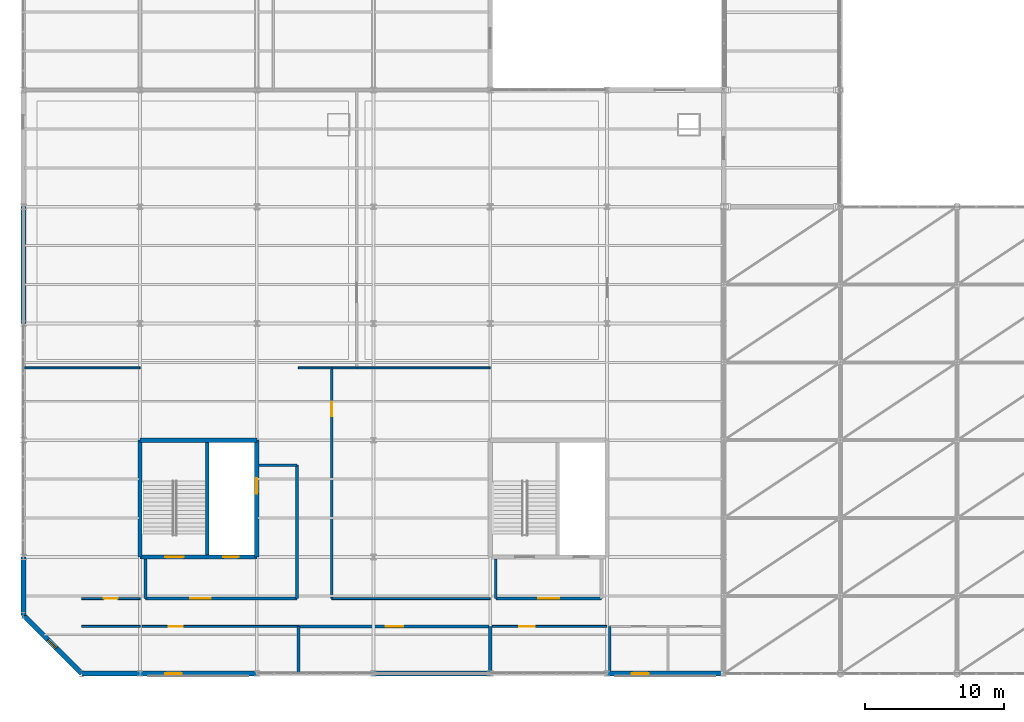
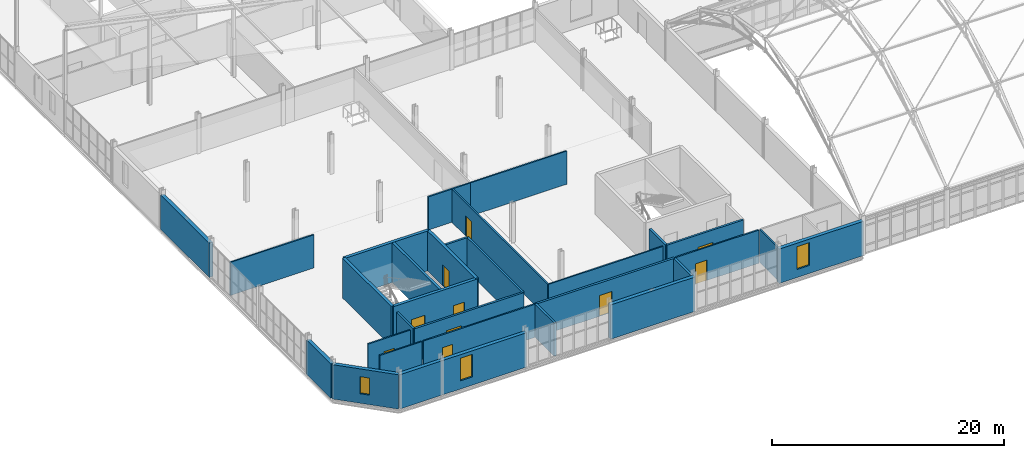
# One storey, part 153 of 184: 32 walls, 10 doors, 3 windows, 13 openings.
"""IFC4 building model written with IfcOpenShell, lengths in metres."""

from ifc_helpers import new_model, si_unit, direction, frame, frame_2d, origin, place, context, subcontext, project, spatial, rectangle, extrude, material, layer, layer_set, type_object, element, fill, save


model = new_model("IFC4")

# Units and contexts
model_context = context("Model", 3, precision=1e-05, world=origin(), true_north=direction((0.0, 1.0)))
body_context = subcontext(model_context, "Body", "Model", "MODEL_VIEW")
ifc_project = project(units=[si_unit("LENGTHUNIT", "METRE"), si_unit("AREAUNIT", "SQUARE_METRE"), si_unit("VOLUMEUNIT", "CUBIC_METRE"), si_unit("PLANEANGLEUNIT", "RADIAN"), si_unit("MASSUNIT", "GRAM", prefix="KILO")], contexts=[model_context])

# Site, building, storey
site_placement = place(None, origin())
site = spatial("IfcSite", under=ifc_project, at=site_placement, CompositionType="ELEMENT")
building_placement = place(site_placement, origin())
building = spatial("IfcBuilding", under=site, at=building_placement, Name="Qalvenar Corner Mobility Hub", CompositionType="ELEMENT")
storey_placement = place(building_placement, frame((0.0, 0.0, 9.0)))
storey = spatial("IfcBuildingStorey", under=building, at=storey_placement, Name="L02", CompositionType="ELEMENT", Elevation=9.0)

# Wall
ifc_material_1 = material(Name="Concrete C40/50", Category="concrete")
ifc_layer_1 = layer(ifc_material_1, 0.25)
ifc_layer_set_1 = layer_set([ifc_layer_1], Name="Concrete C40/50")
wall_type_1 = type_object("IfcWallType", Name="WL-CORE250", PredefinedType="SHEAR", material=ifc_layer_set_1)
wall_1_placement = place(storey_placement, frame((13.25, 8.550048828125, 0.0), z_axis=(0.0, 0.0, 1.0), x_axis=(0.0, 1.0, 0.0)))
element("IfcWall", 1, at=wall_1_placement, inside=storey, type_object=wall_type_1, Name="Core Divider Wall C1-L02", PredefinedType="SHEAR", context=body_context, shape_type="SweptSolid", body=[
    extrude(rectangle(XDim=8.099853515625, YDim=0.25, at=frame_2d((4.0498046875, 0.0))), origin(), (0.0, 0.0, 1.0), 4.199951171875),
])

# Wall, openings, doors
ifc_layer_2 = layer(ifc_material_1, 0.300048828125)
ifc_layer_set_2 = layer_set([ifc_layer_2], Name="Concrete C40/50")
wall_type_2 = type_object("IfcWallType", Name="WL-CORE300", PredefinedType="SHEAR", material=ifc_layer_set_2)
wall_2_placement = place(storey_placement, frame((8.39990234375, 8.39990234375, 0.0), z_axis=(0.0, 0.0, 1.0), x_axis=(1.0, 0.0, 0.0)))
wall_2 = element("IfcWall", 2, at=wall_2_placement, inside=storey, type_object=wall_type_2, Name="Core Shear Wall C1-L02-S", PredefinedType="SHEAR", context=body_context, shape_type="SweptSolid", body=[
    extrude(rectangle(XDim=8.400146484375, YDim=0.300048828125, at=frame_2d((4.2001953125, 0.0))), origin(), (0.0, 0.0, 1.0), 4.199951171875),
])
opening_1_placement = place(wall_2_placement, frame((1.800048828125, 0.0, 0.0)))
opening_1 = element("IfcOpeningElement", 3, at=opening_1_placement, cuts=wall_2, Name="Opening DR-159", PredefinedType="OPENING", context=body_context, shape_type="SweptSolid", body=[
    extrude(rectangle(XDim=1.35009765625, YDim=2.199951171875, at=frame_2d((0.675048828125, 1.10009765625))), frame((0.0, 0.16015625, 0.0), z_axis=(0.0, -1.0, 0.0), x_axis=(1.0, 0.0, 0.0)), (0.0, 0.0, 1.0), 0.320068359375),
])
opening_2_placement = place(wall_2_placement, frame((6.0, 0.0, 0.0)))
opening_2 = element("IfcOpeningElement", 4, at=opening_2_placement, cuts=wall_2, Name="Opening DR-160", PredefinedType="OPENING", context=body_context, shape_type="SweptSolid", body=[
    extrude(rectangle(XDim=1.10009765625, YDim=2.199951171875, at=frame_2d((0.550048828125, 1.10009765625))), frame((0.0, 0.16015625, 0.0), z_axis=(0.0, -1.0, 0.0), x_axis=(1.0, 0.0, 0.0)), (0.0, 0.0, 1.0), 0.320068359375),
])
ifc_material_2 = material(Name="Stainless Steel Lift Landing Door", Category="steel")
door_type_1 = type_object("IfcDoorType", Name="DR-LIFT-110", OperationType="SLIDING_TO_LEFT", PredefinedType="DOOR", material=ifc_material_2)
door_1_placement = place(opening_2_placement, origin())
door_1 = element("IfcDoor", 5, at=door_1_placement, inside=storey, type_object=door_type_1, Name="DR-160 Lift Landing Door LF1-L02", OperationType="SLIDING_TO_LEFT", OverallHeight=2.199951171875, OverallWidth=1.10009765625, PredefinedType="DOOR", context=body_context, shape_type="SweptSolid", body=[
    extrude(rectangle(XDim=1.10009765625, YDim=2.199951171875, at=frame_2d((0.550048828125, 1.10009765625))), frame((0.0, 0.02490234375, 0.0), z_axis=(0.0, -1.0, 0.0), x_axis=(1.0, 0.0, 0.0)), (0.0, 0.0, 1.0), 0.050048828125),
])
fill(opening_2, door_1)
ifc_material_3 = material(Name="Fire-Rated Steel Stair Door FD90", Category="steel")
door_type_2 = type_object("IfcDoorType", Name="DR-STAIR-135", OperationType="NOTDEFINED", PredefinedType="DOOR", material=ifc_material_3)
door_2_placement = place(opening_1_placement, origin())
door_2 = element("IfcDoor", 6, at=door_2_placement, inside=storey, type_object=door_type_2, Name="DR-159 Stair Fire Door ST1-L02", OperationType="SINGLE_SWING_LEFT", OverallHeight=2.199951171875, OverallWidth=1.35009765625, PredefinedType="DOOR", context=body_context, shape_type="SweptSolid", body=[
    extrude(rectangle(XDim=1.35009765625, YDim=2.199951171875, at=frame_2d((0.675048828125, 1.10009765625))), frame((0.0, 0.02490234375, 0.0), z_axis=(0.0, -1.0, 0.0), x_axis=(1.0, 0.0, 0.0)), (0.0, 0.0, 1.0), 0.050048828125),
])
fill(opening_1, door_2)

# Wall, opening, door
wall_3_placement = place(storey_placement, frame((16.800048828125, 8.39990234375, 0.0), z_axis=(0.0, 0.0, 1.0), x_axis=(0.0, 1.0, 0.0)))
wall_3 = element("IfcWall", 7, at=wall_3_placement, inside=storey, type_object=wall_type_2, Name="Core Shear Wall C1-L02-E", PredefinedType="SHEAR", context=body_context, shape_type="SweptSolid", body=[
    extrude(rectangle(XDim=8.400146484375, YDim=0.300048828125, at=frame_2d((4.2001953125, 0.0))), origin(), (0.0, 0.0, 1.0), 4.199951171875),
])
opening_3_placement = place(wall_3_placement, frame((4.550048828125, 0.0, 0.0)))
opening_3 = element("IfcOpeningElement", 8, at=opening_3_placement, cuts=wall_3, Name="Opening DR-161", PredefinedType="OPENING", context=body_context, shape_type="SweptSolid", body=[
    extrude(rectangle(XDim=1.10009765625, YDim=2.199951171875, at=frame_2d((0.550048828125, 1.10009765625))), frame((0.0, 0.16015625, 0.0), z_axis=(0.0, -1.0, 0.0), x_axis=(1.0, 0.0, 0.0)), (0.0, 0.0, 1.0), 0.320068359375),
])
door_3_placement = place(opening_3_placement, origin())
door_3 = element("IfcDoor", 9, at=door_3_placement, inside=storey, type_object=door_type_1, Name="DR-161 Lift Landing Door LP1-L02", OperationType="SLIDING_TO_RIGHT", OverallHeight=2.199951171875, OverallWidth=1.10009765625, PredefinedType="DOOR", context=body_context, shape_type="SweptSolid", body=[
    extrude(rectangle(XDim=1.10009765625, YDim=2.199951171875, at=frame_2d((0.550048828125, 1.10009765625))), frame((0.0, 0.02490234375, 0.0), z_axis=(0.0, -1.0, 0.0), x_axis=(1.0, 0.0, 0.0)), (0.0, 0.0, 1.0), 0.050048828125),
])
fill(opening_3, door_3)

# Walls
for number, where, z_axis, x_axis, name in (
    (10, (16.800048828125, 16.800048828125, 0.0), (0.0, 0.0, 1.0), (-1.0, 0.0, 0.0), "Core Shear Wall C1-L02-N"),
    (11, (8.39990234375, 16.800048828125, 0.0), (0.0, 0.0, 1.0), (0.0, -1.0, 0.0), "Core Shear Wall C1-L02-W"),
):
    element("IfcWall", number, at=place(storey_placement, frame(where, z_axis=z_axis, x_axis=x_axis)), inside=storey, type_object=wall_type_2, Name=name, PredefinedType="SHEAR", context=body_context, shape_type="SweptSolid", body=[
        extrude(rectangle(XDim=8.400146484375, YDim=0.300048828125, at=frame_2d((4.2001953125, 0.0))), origin(), (0.0, 0.0, 1.0), 4.199951171875),
    ])
ifc_material_4 = material(Name="Red Sandstone Ashlar Masonry", Category="masonry")
ifc_layer_3 = layer(ifc_material_4, 0.360107421875)
ifc_layer_set_3 = layer_set([ifc_layer_3], Name="Red Sandstone Ashlar Masonry")
wall_type_3 = type_object("IfcWallType", Name="WL-EXT-SAND360", PredefinedType="STANDARD", material=ifc_layer_set_3)
wall_4_placement = place(storey_placement, frame((4.199951171875, 0.0, 0.0), z_axis=(0.0, 0.0, 1.0), x_axis=(1.0, 0.0, 0.0)))
element("IfcWall", 12, at=wall_4_placement, inside=storey, type_object=wall_type_3, Name="Exterior Facade Wall EW-V3-L02-016", PredefinedType="STANDARD", context=body_context, shape_type="SweptSolid", body=[
    extrude(rectangle(XDim=4.199951171875, YDim=0.360107421875, at=frame_2d((2.10009765625, 0.0))), origin(), (0.0, 0.0, 1.0), 3.6201171875),
])

# Wall, opening, window
wall_5_placement = place(storey_placement, frame((8.39990234375, 0.0, 0.0), z_axis=(0.0, 0.0, 1.0), x_axis=(1.0, 0.0, 0.0)))
wall_5 = element("IfcWall", 13, at=wall_5_placement, inside=storey, type_object=wall_type_3, Name="Exterior Facade Wall EW-V3-L02-017", PredefinedType="STANDARD", context=body_context, shape_type="SweptSolid", body=[
    extrude(rectangle(XDim=8.400146484375, YDim=0.360107421875, at=frame_2d((4.2001953125, 0.0))), origin(), (0.0, 0.0, 1.0), 3.6201171875),
])
opening_4_placement = place(wall_5_placement, frame((1.800048828125, 0.0, 0.85009765625)))
opening_4 = element("IfcOpeningElement", 14, at=opening_4_placement, cuts=wall_5, Name="Opening W-05", PredefinedType="OPENING", context=body_context, shape_type="SweptSolid", body=[
    extrude(rectangle(XDim=1.199951171875, YDim=2.39990234375, at=frame_2d((0.60009765625, 1.199951171875))), frame((0.0, 0.18994140625, 0.0), z_axis=(0.0, -1.0, 0.0), x_axis=(1.0, 0.0, 0.0)), (0.0, 0.0, 1.0), 0.380126953125),
])
ifc_material_5 = material(Name="Solar-Control Double-Glazed Bronze Window", Category="glass")
window_type_1 = type_object("IfcWindowType", Name="WN-CIV-120X240", PartitioningType="SINGLE_PANEL", PredefinedType="WINDOW", material=ifc_material_5)
window_1_placement = place(opening_4_placement, origin())
window_1 = element("IfcWindow", 15, at=window_1_placement, inside=storey, type_object=window_type_1, Name="Facade Window EW-V3-L02-017-W1", OverallHeight=2.39990234375, OverallWidth=1.199951171875, PartitioningType="SINGLE_PANEL", PredefinedType="WINDOW", context=body_context, shape_type="SweptSolid", body=[
    extrude(rectangle(XDim=1.199951171875, YDim=2.39990234375, at=frame_2d((0.60009765625, 1.199951171875))), frame((0.0, 0.030029296875, 0.0), z_axis=(0.0, -1.0, 0.0), x_axis=(1.0, 0.0, 0.0)), (0.0, 0.0, 1.0), 0.06005859375),
])
fill(opening_4, window_1)

# Wall
wall_6_placement = place(storey_placement, frame((25.199951171875, 0.0, 0.0), z_axis=(0.0, 0.0, 1.0), x_axis=(1.0, 0.0, 0.0)))
element("IfcWall", 16, at=wall_6_placement, inside=storey, type_object=wall_type_3, Name="Exterior Facade Wall EW-V3-L02-018", PredefinedType="STANDARD", context=body_context, shape_type="SweptSolid", body=[
    extrude(rectangle(XDim=8.400146484375, YDim=0.360107421875, at=frame_2d((4.2001953125, 0.0))), origin(), (0.0, 0.0, 1.0), 3.6201171875),
])

# Wall, opening, window
wall_7_placement = place(storey_placement, frame((42.0, 0.0, 0.0), z_axis=(0.0, 0.0, 1.0), x_axis=(1.0, 0.0, 0.0)))
wall_7 = element("IfcWall", 17, at=wall_7_placement, inside=storey, type_object=wall_type_3, Name="Exterior Facade Wall EW-V3-L02-019", PredefinedType="STANDARD", context=body_context, shape_type="SweptSolid", body=[
    extrude(rectangle(XDim=8.39990234375, YDim=0.360107421875, at=frame_2d((4.199951171875, 0.0))), origin(), (0.0, 0.0, 1.0), 3.6201171875),
])
opening_5_placement = place(wall_7_placement, frame((1.800048828125, 0.0, 0.85009765625)))
opening_5 = element("IfcOpeningElement", 18, at=opening_5_placement, cuts=wall_7, Name="Opening W-05", PredefinedType="OPENING", context=body_context, shape_type="SweptSolid", body=[
    extrude(rectangle(XDim=1.199951171875, YDim=2.39990234375, at=frame_2d((0.60009765625, 1.199951171875))), frame((0.0, 0.18994140625, 0.0), z_axis=(0.0, -1.0, 0.0), x_axis=(1.0, 0.0, 0.0)), (0.0, 0.0, 1.0), 0.380126953125),
])
window_2_placement = place(opening_5_placement, origin())
window_2 = element("IfcWindow", 19, at=window_2_placement, inside=storey, type_object=window_type_1, Name="Facade Window EW-V3-L02-019-W1", OverallHeight=2.39990234375, OverallWidth=1.199951171875, PartitioningType="SINGLE_PANEL", PredefinedType="WINDOW", context=body_context, shape_type="SweptSolid", body=[
    extrude(rectangle(XDim=1.199951171875, YDim=2.39990234375, at=frame_2d((0.60009765625, 1.199951171875))), frame((0.0, 0.030029296875, 0.0), z_axis=(0.0, -1.0, 0.0), x_axis=(1.0, 0.0, 0.0)), (0.0, 0.0, 1.0), 0.06005859375),
])
fill(opening_5, window_2)

# Walls
wall_8_placement = place(storey_placement, frame((0.0, 8.39990234375, 0.0), z_axis=(0.0, 0.0, 1.0), x_axis=(0.0, -1.0, 0.0)))
element("IfcWall", 20, at=wall_8_placement, inside=storey, type_object=wall_type_3, Name="Exterior Facade Wall EW-V3-L02-020", PredefinedType="STANDARD", context=body_context, shape_type="SweptSolid", body=[
    extrude(rectangle(XDim=4.199951171875, YDim=0.360107421875, at=frame_2d((2.10009765625, 0.0))), origin(), (0.0, 0.0, 1.0), 3.6201171875),
])
wall_9_placement = place(storey_placement, frame((0.0, 33.60009765625, 0.0), z_axis=(0.0, 0.0, 1.0), x_axis=(0.0, -1.0, 0.0)))
element("IfcWall", 21, at=wall_9_placement, inside=storey, type_object=wall_type_3, Name="Exterior Facade Wall EW-V3-L02-021", PredefinedType="STANDARD", context=body_context, shape_type="SweptSolid", body=[
    extrude(rectangle(XDim=8.400146484375, YDim=0.360107421875, at=frame_2d((4.2001953125, 0.0))), origin(), (0.0, 0.0, 1.0), 3.6201171875),
])

# Wall, opening, window
wall_10_placement = place(storey_placement, frame((0.0, 4.199951171875, 0.0), z_axis=(0.0, 0.0, 1.0), x_axis=(0.707106781187, -0.707106781187, 0.0)))
wall_10 = element("IfcWall", 22, at=wall_10_placement, inside=storey, type_object=wall_type_3, Name="Exterior Facade Wall EW-V3-SPL-L02", PredefinedType="STANDARD", context=body_context, shape_type="SweptSolid", body=[
    extrude(rectangle(XDim=5.939697265625, YDim=0.360107421875, at=frame_2d((2.9697265625, 0.0))), origin(), (0.0, 0.0, 1.0), 3.6201171875),
])
opening_6_placement = place(wall_10_placement, frame((2.5, 0.0, 1.0)))
opening_6 = element("IfcOpeningElement", 23, at=opening_6_placement, cuts=wall_10, Name="Opening W-23", PredefinedType="OPENING", context=body_context, shape_type="SweptSolid", body=[
    extrude(rectangle(XDim=0.85009765625, YDim=1.800048828125, at=frame_2d((0.425048828125, 0.89990234375))), frame((0.0, 0.18994140625, 0.0), z_axis=(0.0, -1.0, 0.0), x_axis=(1.0, 0.0, 0.0)), (0.0, 0.0, 1.0), 0.380126953125),
])
window_type_2 = type_object("IfcWindowType", Name="WN-STR-085X180", PartitioningType="SINGLE_PANEL", PredefinedType="WINDOW", material=ifc_material_5)
window_3_placement = place(opening_6_placement, origin())
window_3 = element("IfcWindow", 24, at=window_3_placement, inside=storey, type_object=window_type_2, Name="Facade Window EW-V3-SPL-L02-W1", OverallHeight=1.800048828125, OverallWidth=0.85009765625, PartitioningType="SINGLE_PANEL", PredefinedType="WINDOW", context=body_context, shape_type="SweptSolid", body=[
    extrude(rectangle(XDim=0.85009765625, YDim=1.800048828125, at=frame_2d((0.425048828125, 0.89990234375))), frame((0.0, 0.030029296875, 0.0), z_axis=(0.0, -1.0, 0.0), x_axis=(1.0, 0.0, 0.0)), (0.0, 0.0, 1.0), 0.06005859375),
])
fill(opening_6, window_3)

# Wall, opening, door
ifc_material_6 = material(Name="Concrete Blockwork Masonry", Category="masonry")
ifc_layer_4 = layer(ifc_material_6, 0.219970703125)
ifc_layer_set_4 = layer_set([ifc_layer_4], Name="Concrete Blockwork Masonry")
wall_type_4 = type_object("IfcWallType", Name="WL-FIRE220", PredefinedType="PARTITIONING", material=ifc_layer_set_4)
wall_11_placement = place(storey_placement, frame((19.800048828125, 3.39990234375, 0.0), z_axis=(0.0, 0.0, 1.0), x_axis=(1.0, 0.0, 0.0)))
wall_11 = element("IfcWall", 25, at=wall_11_placement, inside=storey, type_object=wall_type_4, Name="Interior Partition PRT-L02-003", PredefinedType="PARTITIONING", context=body_context, shape_type="SweptSolid", body=[
    extrude(rectangle(XDim=13.800048828125, YDim=0.219970703125, at=frame_2d((6.89990234375, 0.0))), origin(), (0.0, 0.0, 1.0), 3.5),
])
opening_7_placement = place(wall_11_placement, frame((6.27490234375, 0.0, 0.0)))
opening_7 = element("IfcOpeningElement", 26, at=opening_7_placement, cuts=wall_11, Name="Opening DR-180", PredefinedType="OPENING", context=body_context, shape_type="SweptSolid", body=[
    extrude(rectangle(XDim=1.25, YDim=2.199951171875, at=frame_2d((0.625, 1.10009765625))), frame((0.0, 0.1201171875, 0.0), z_axis=(0.0, -1.0, 0.0), x_axis=(1.0, 0.0, 0.0)), (0.0, 0.0, 1.0), 0.239990234375),
])
ifc_material_7 = material(Name="Acoustic Steel Plant Room Door FD60", Category="steel")
door_type_3 = type_object("IfcDoorType", Name="DR-INT-PLT125", OperationType="NOTDEFINED", PredefinedType="DOOR", material=ifc_material_7)
door_4_placement = place(opening_7_placement, origin())
door_4 = element("IfcDoor", 27, at=door_4_placement, inside=storey, type_object=door_type_3, Name="DR-180 Smart Fare Clearing and IT Server Room Door", OperationType="SINGLE_SWING_LEFT", OverallHeight=2.199951171875, OverallWidth=1.25, PredefinedType="DOOR", context=body_context, shape_type="SweptSolid", body=[
    extrude(rectangle(XDim=1.25, YDim=2.199951171875, at=frame_2d((0.625, 1.10009765625))), frame((0.0, 0.02490234375, 0.0), z_axis=(0.0, -1.0, 0.0), x_axis=(1.0, 0.0, 0.0)), (0.0, 0.0, 1.0), 0.050048828125),
])
fill(opening_7, door_4)

# Walls
wall_12_placement = place(storey_placement, frame((19.800048828125, 0.044921875, 0.0), z_axis=(0.0, 0.0, 1.0), x_axis=(0.0, 1.0, 0.0)))
element("IfcWall", 28, at=wall_12_placement, inside=storey, type_object=wall_type_4, Name="Interior Partition PRT-L02-033", PredefinedType="PARTITIONING", context=body_context, shape_type="SweptSolid", body=[
    extrude(rectangle(XDim=3.35498046875, YDim=0.219970703125, at=frame_2d((1.677490234375, 0.0))), origin(), (0.0, 0.0, 1.0), 3.5),
])
wall_13_placement = place(storey_placement, frame((33.60009765625, 0.18505859375, 0.0), z_axis=(0.0, 0.0, 1.0), x_axis=(0.0, 1.0, 0.0)))
element("IfcWall", 29, at=wall_13_placement, inside=storey, type_object=wall_type_4, Name="Interior Partition PRT-L02-037", PredefinedType="PARTITIONING", context=body_context, shape_type="SweptSolid", body=[
    extrude(rectangle(XDim=3.21484375, YDim=0.219970703125, at=frame_2d((1.607421875, 0.0))), origin(), (0.0, 0.0, 1.0), 3.489990234375),
])
ifc_material_8 = material(Name="Acoustic Gypsum Stud Partition", Category="masonry")
ifc_layer_5 = layer(ifc_material_8, 0.139892578125)
ifc_layer_set_5 = layer_set([ifc_layer_5], Name="Acoustic Gypsum Stud Partition")
wall_type_5 = type_object("IfcWallType", Name="WL-INT140", PredefinedType="PARTITIONING", material=ifc_layer_set_5)
wall_14_placement = place(storey_placement, frame((4.199951171875, 3.39990234375, 0.0), z_axis=(0.0, 0.0, 1.0), x_axis=(1.0, 0.0, 0.0)))
element("IfcWall", 30, at=wall_14_placement, inside=storey, type_object=wall_type_5, Name="Interior Partition PRT-L02-001", PredefinedType="PARTITIONING", context=body_context, shape_type="SweptSolid", body=[
    extrude(rectangle(XDim=4.199951171875, YDim=0.139892578125, at=frame_2d((2.10009765625, 0.0))), origin(), (0.0, 0.0, 1.0), 3.5),
])

# Wall, opening, door
wall_15_placement = place(storey_placement, frame((8.550048828125, 3.39990234375, 0.0), z_axis=(0.0, 0.0, 1.0), x_axis=(1.0, 0.0, 0.0)))
wall_15 = element("IfcWall", 31, at=wall_15_placement, inside=storey, type_object=wall_type_5, Name="Interior Partition PRT-L02-002", PredefinedType="PARTITIONING", context=body_context, shape_type="SweptSolid", body=[
    extrude(rectangle(XDim=11.25, YDim=0.139892578125, at=frame_2d((5.625, 0.0))), origin(), (0.0, 0.0, 1.0), 3.5),
])
opening_8_placement = place(wall_15_placement, frame((1.919921875, 0.0, 0.0)))
opening_8 = element("IfcOpeningElement", 32, at=opening_8_placement, cuts=wall_15, Name="Opening DR-179", PredefinedType="OPENING", context=body_context, shape_type="SweptSolid", body=[
    extrude(rectangle(XDim=1.0, YDim=2.14990234375, at=frame_2d((0.5, 1.074951171875))), frame((0.0, 0.080078125, 0.0), z_axis=(0.0, -1.0, 0.0), x_axis=(1.0, 0.0, 0.0)), (0.0, 0.0, 1.0), 0.159912109375),
])
ifc_material_9 = material(Name="Hardwood Teak Office Door FD30", Category="wood")
door_type_4 = type_object("IfcDoorType", Name="DR-INT-OFF100", OperationType="NOTDEFINED", PredefinedType="DOOR", material=ifc_material_9)
door_5_placement = place(opening_8_placement, origin())
door_5 = element("IfcDoor", 33, at=door_5_placement, inside=storey, type_object=door_type_4, Name="DR-179 Staff Induction Seminar Room Door", OperationType="SINGLE_SWING_RIGHT", OverallHeight=2.14990234375, OverallWidth=1.0, PredefinedType="DOOR", context=body_context, shape_type="SweptSolid", body=[
    extrude(rectangle(XDim=1.0, YDim=2.14990234375, at=frame_2d((0.5, 1.074951171875))), frame((0.0, 0.02490234375, 0.0), z_axis=(0.0, -1.0, 0.0), x_axis=(1.0, 0.0, 0.0)), (0.0, 0.0, 1.0), 0.050048828125),
])
fill(opening_8, door_5)

wall_16_placement = place(storey_placement, frame((33.75, 3.39990234375, 0.0), z_axis=(0.0, 0.0, 1.0), x_axis=(1.0, 0.0, 0.0)))
wall_16 = element("IfcWall", 34, at=wall_16_placement, inside=storey, type_object=wall_type_5, Name="Interior Partition PRT-L02-004", PredefinedType="PARTITIONING", context=body_context, shape_type="SweptSolid", body=[
    extrude(rectangle(XDim=8.25, YDim=0.139892578125, at=frame_2d((4.125, 0.0))), origin(), (0.0, 0.0, 1.0), 3.5),
])
opening_9_placement = place(wall_16_placement, frame((1.919921875, 0.0, 0.0)))
opening_9 = element("IfcOpeningElement", 35, at=opening_9_placement, cuts=wall_16, Name="Opening DR-181", PredefinedType="OPENING", context=body_context, shape_type="SweptSolid", body=[
    extrude(rectangle(XDim=1.14990234375, YDim=2.14990234375, at=frame_2d((0.574951171875, 1.074951171875))), frame((0.0, 0.080078125, 0.0), z_axis=(0.0, -1.0, 0.0), x_axis=(1.0, 0.0, 0.0)), (0.0, 0.0, 1.0), 0.159912109375),
])
ifc_material_10 = material(Name="Steel Parts Store Door FD60", Category="steel")
door_type_5 = type_object("IfcDoorType", Name="DR-INT-STR115", OperationType="NOTDEFINED", PredefinedType="DOOR", material=ifc_material_10)
door_6_placement = place(opening_9_placement, origin())
door_6 = element("IfcDoor", 36, at=door_6_placement, inside=storey, type_object=door_type_5, Name="DR-181 Second Floor Archive Store Door", OperationType="SINGLE_SWING_LEFT", OverallHeight=2.14990234375, OverallWidth=1.14990234375, PredefinedType="DOOR", context=body_context, shape_type="SweptSolid", body=[
    extrude(rectangle(XDim=1.14990234375, YDim=2.14990234375, at=frame_2d((0.574951171875, 1.074951171875))), frame((0.0, 0.02490234375, 0.0), z_axis=(0.0, -1.0, 0.0), x_axis=(1.0, 0.0, 0.0)), (0.0, 0.0, 1.0), 0.050048828125),
])
fill(opening_9, door_6)

wall_17_placement = place(storey_placement, frame((4.199951171875, 5.39990234375, 0.0), z_axis=(0.0, 0.0, 1.0), x_axis=(1.0, 0.0, 0.0)))
wall_17 = element("IfcWall", 37, at=wall_17_placement, inside=storey, type_object=wall_type_5, Name="Interior Partition PRT-L02-007", PredefinedType="PARTITIONING", context=body_context, shape_type="SweptSolid", body=[
    extrude(rectangle(XDim=4.199951171875, YDim=0.139892578125, at=frame_2d((2.10009765625, 0.0))), origin(), (0.0, 0.0, 1.0), 3.5),
])
opening_10_placement = place(wall_17_placement, frame((1.60009765625, 0.0, 0.0)))
opening_10 = element("IfcOpeningElement", 38, at=opening_10_placement, cuts=wall_17, Name="Opening DR-184", PredefinedType="OPENING", context=body_context, shape_type="SweptSolid", body=[
    extrude(rectangle(XDim=1.0, YDim=2.14990234375, at=frame_2d((0.5, 1.074951171875))), frame((0.0, 0.080078125, 0.0), z_axis=(0.0, -1.0, 0.0), x_axis=(1.0, 0.0, 0.0)), (0.0, 0.0, 1.0), 0.159912109375),
])
door_7_placement = place(opening_10_placement, origin())
door_7 = element("IfcDoor", 39, at=door_7_placement, inside=storey, type_object=door_type_4, Name="DR-184 Fare Revenue and Audit Office Door", OperationType="SINGLE_SWING_LEFT", OverallHeight=2.14990234375, OverallWidth=1.0, PredefinedType="DOOR", context=body_context, shape_type="SweptSolid", body=[
    extrude(rectangle(XDim=1.0, YDim=2.14990234375, at=frame_2d((0.5, 1.074951171875))), frame((0.0, 0.02490234375, 0.0), z_axis=(0.0, -1.0, 0.0), x_axis=(1.0, 0.0, 0.0)), (0.0, 0.0, 1.0), 0.050048828125),
])
fill(opening_10, door_7)

# Walls
wall_18_placement = place(storey_placement, frame((22.199951171875, 5.39990234375, 0.0), z_axis=(0.0, 0.0, 1.0), x_axis=(1.0, 0.0, 0.0)))
element("IfcWall", 40, at=wall_18_placement, inside=storey, type_object=wall_type_5, Name="Interior Partition PRT-L02-008", PredefinedType="PARTITIONING", context=body_context, shape_type="SweptSolid", body=[
    extrude(rectangle(XDim=11.400146484375, YDim=0.139892578125, at=frame_2d((5.7001953125, 0.0))), origin(), (0.0, 0.0, 1.0), 3.5),
])
wall_19_placement = place(storey_placement, frame((0.044921875, 22.0, 0.0), z_axis=(0.0, 0.0, 1.0), x_axis=(1.0, 0.0, 0.0)))
element("IfcWall", 41, at=wall_19_placement, inside=storey, type_object=wall_type_5, Name="Interior Partition PRT-L02-016", PredefinedType="PARTITIONING", context=body_context, shape_type="SweptSolid", body=[
    extrude(rectangle(XDim=8.35498046875, YDim=0.139892578125, at=frame_2d((4.177490234375, 0.0))), origin(), (0.0, 0.0, 1.0), 3.5),
])
wall_20_placement = place(storey_placement, frame((19.800048828125, 22.0, 0.0), z_axis=(0.0, 0.0, 1.0), x_axis=(1.0, 0.0, 0.0)))
element("IfcWall", 42, at=wall_20_placement, inside=storey, type_object=wall_type_5, Name="Interior Partition PRT-L02-017", PredefinedType="PARTITIONING", context=body_context, shape_type="SweptSolid", body=[
    extrude(rectangle(XDim=2.39990234375, YDim=0.139892578125, at=frame_2d((1.199951171875, 0.0))), origin(), (0.0, 0.0, 1.0), 3.5),
])
wall_21_placement = place(storey_placement, frame((22.199951171875, 22.0, 0.0), z_axis=(0.0, 0.0, 1.0), x_axis=(1.0, 0.0, 0.0)))
element("IfcWall", 43, at=wall_21_placement, inside=storey, type_object=wall_type_5, Name="Interior Partition PRT-L02-018", PredefinedType="PARTITIONING", context=body_context, shape_type="SweptSolid", body=[
    extrude(rectangle(XDim=1.800048828125, YDim=0.139892578125, at=frame_2d((0.89990234375, 0.0))), origin(), (0.0, 0.0, 1.0), 3.5),
])
wall_22_placement = place(storey_placement, frame((24.0, 22.0, 0.0), z_axis=(0.0, 0.0, 1.0), x_axis=(1.0, 0.0, 0.0)))
element("IfcWall", 44, at=wall_22_placement, inside=storey, type_object=wall_type_5, Name="Interior Partition PRT-L02-019", PredefinedType="PARTITIONING", context=body_context, shape_type="SweptSolid", body=[
    extrude(rectangle(XDim=9.60009765625, YDim=0.139892578125, at=frame_2d((4.800048828125, 0.0))), origin(), (0.0, 0.0, 1.0), 3.5),
])

# Wall, opening, door
ifc_material_11 = material(Name="Plastered Clay Brick Partition", Category="masonry")
ifc_layer_6 = layer(ifc_material_11, 0.159912109375)
ifc_layer_set_6 = layer_set([ifc_layer_6], Name="Plastered Clay Brick Partition")
wall_type_6 = type_object("IfcWallType", Name="WL-INT160", PredefinedType="PARTITIONING", material=ifc_layer_set_6)
wall_23_placement = place(storey_placement, frame((22.199951171875, 5.39990234375, 0.0), z_axis=(0.0, 0.0, 1.0), x_axis=(0.0, 1.0, 0.0)))
wall_23 = element("IfcWall", 45, at=wall_23_placement, inside=storey, type_object=wall_type_6, Name="Interior Partition PRT-L02-035", PredefinedType="PARTITIONING", context=body_context, shape_type="SweptSolid", body=[
    extrude(rectangle(XDim=16.60009765625, YDim=0.159912109375, at=frame_2d((8.300048828125, 0.0))), origin(), (0.0, 0.0, 1.0), 3.5),
])
opening_11_placement = place(wall_23_placement, frame((13.1201171875, 0.0, 0.0)))
opening_11 = element("IfcOpeningElement", 46, at=opening_11_placement, cuts=wall_23, Name="Opening DR-194", PredefinedType="OPENING", context=body_context, shape_type="SweptSolid", body=[
    extrude(rectangle(XDim=1.0, YDim=2.14990234375, at=frame_2d((0.5, 1.074951171875))), frame((0.0, 0.08984375, 0.0), z_axis=(0.0, -1.0, 0.0), x_axis=(1.0, 0.0, 0.0)), (0.0, 0.0, 1.0), 0.179931640625),
])
door_8_placement = place(opening_11_placement, origin())
door_8 = element("IfcDoor", 47, at=door_8_placement, inside=storey, type_object=door_type_4, Name="DR-194 Transit Network Operations Office Door", OperationType="SINGLE_SWING_RIGHT", OverallHeight=2.14990234375, OverallWidth=1.0, PredefinedType="DOOR", context=body_context, shape_type="SweptSolid", body=[
    extrude(rectangle(XDim=1.0, YDim=2.14990234375, at=frame_2d((0.5, 1.074951171875))), frame((0.0, 0.02490234375, 0.0), z_axis=(0.0, -1.0, 0.0), x_axis=(1.0, 0.0, 0.0)), (0.0, 0.0, 1.0), 0.050048828125),
])
fill(opening_11, door_8)

# Wall
ifc_material_12 = material(Name="Concrete Blockwork Masonry", Category="masonry")
ifc_layer_7 = layer(ifc_material_12, 0.199951171875)
ifc_layer_set_7 = layer_set([ifc_layer_7], Name="Concrete Blockwork Masonry")
wall_type_7 = type_object("IfcWallType", Name="WL-LOBBY200", PredefinedType="PARTITIONING", material=ifc_layer_set_7)
wall_24_placement = place(storey_placement, frame((8.800048828125, 5.39990234375, 0.0), z_axis=(0.0, 0.0, 1.0), x_axis=(0.0, 1.0, 0.0)))
element("IfcWall", 48, at=wall_24_placement, inside=storey, type_object=wall_type_7, Name="Interior Partition WL-LOB-C1-L02-W", PredefinedType="PARTITIONING", context=body_context, shape_type="SweptSolid", body=[
    extrude(rectangle(XDim=2.85009765625, YDim=0.199951171875, at=frame_2d((1.425048828125, 0.0))), origin(), (0.0, 0.0, 1.0), 3.52001953125),
])

# Wall, opening, door
wall_25_placement = place(storey_placement, frame((8.800048828125, 5.39990234375, 0.0), z_axis=(0.0, 0.0, 1.0), x_axis=(1.0, 0.0, 0.0)))
wall_25 = element("IfcWall", 49, at=wall_25_placement, inside=storey, type_object=wall_type_7, Name="Interior Partition WL-LOB-C1-L02-S", PredefinedType="PARTITIONING", context=body_context, shape_type="SweptSolid", body=[
    extrude(rectangle(XDim=10.89990234375, YDim=0.199951171875, at=frame_2d((5.449951171875, 0.0))), origin(), (0.0, 0.0, 1.0), 3.52001953125),
])
opening_12_placement = place(wall_25_placement, frame((3.199951171875, 0.0, 0.0)))
opening_12 = element("IfcOpeningElement", 50, at=opening_12_placement, cuts=wall_25, Name="Opening DR-162", PredefinedType="OPENING", context=body_context, shape_type="SweptSolid", body=[
    extrude(rectangle(XDim=1.5, YDim=2.199951171875, at=frame_2d((0.75, 1.10009765625))), frame((0.0, 0.10986328125, 0.0), z_axis=(0.0, -1.0, 0.0), x_axis=(1.0, 0.0, 0.0)), (0.0, 0.0, 1.0), 0.219970703125),
])
ifc_material_13 = material(Name="Firefighting Lobby Smoke-Control Door FD60", Category="steel")
door_type_6 = type_object("IfcDoorType", Name="DR-FFLOB-150", OperationType="DOUBLE_DOOR_SINGLE_SWING", PredefinedType="DOOR", material=ifc_material_13)
door_9_placement = place(opening_12_placement, origin())
door_9 = element("IfcDoor", 51, at=door_9_placement, inside=storey, type_object=door_type_6, Name="DR-162 Lift Lobby Smoke Door C1-L02", OperationType="DOUBLE_DOOR_SINGLE_SWING", OverallHeight=2.199951171875, OverallWidth=1.5, PredefinedType="DOOR", context=body_context, shape_type="SweptSolid", body=[
    extrude(rectangle(XDim=1.5, YDim=2.199951171875, at=frame_2d((0.75, 1.10009765625))), frame((0.0, 0.02490234375, 0.0), z_axis=(0.0, -1.0, 0.0), x_axis=(1.0, 0.0, 0.0)), (0.0, 0.0, 1.0), 0.050048828125),
])
fill(opening_12, door_9)

# Walls
wall_26_placement = place(storey_placement, frame((19.699951171875, 5.39990234375, 0.0), z_axis=(0.0, 0.0, 1.0), x_axis=(0.0, 1.0, 0.0)))
element("IfcWall", 52, at=wall_26_placement, inside=storey, type_object=wall_type_7, Name="Interior Partition WL-LOB-C1-L02-E", PredefinedType="PARTITIONING", context=body_context, shape_type="SweptSolid", body=[
    extrude(rectangle(XDim=9.60009765625, YDim=0.199951171875, at=frame_2d((4.800048828125, 0.0))), origin(), (0.0, 0.0, 1.0), 3.52001953125),
])
wall_27_placement = place(storey_placement, frame((16.9599609375, 15.0, 0.0), z_axis=(0.0, 0.0, 1.0), x_axis=(1.0, 0.0, 0.0)))
element("IfcWall", 53, at=wall_27_placement, inside=storey, type_object=wall_type_7, Name="Interior Partition WL-LOB-C1-L02-N", PredefinedType="PARTITIONING", context=body_context, shape_type="SweptSolid", body=[
    extrude(rectangle(XDim=2.739990234375, YDim=0.199951171875, at=frame_2d((1.3701171875, 0.0))), origin(), (0.0, 0.0, 1.0), 3.52001953125),
])
wall_28_placement = place(storey_placement, frame((34.0, 5.39990234375, 0.0), z_axis=(0.0, 0.0, 1.0), x_axis=(0.0, 1.0, 0.0)))
element("IfcWall", 54, at=wall_28_placement, inside=storey, type_object=wall_type_7, Name="Interior Partition WL-LOB-C2-L02-W", PredefinedType="PARTITIONING", context=body_context, shape_type="SweptSolid", body=[
    extrude(rectangle(XDim=2.85009765625, YDim=0.199951171875, at=frame_2d((1.425048828125, 0.0))), origin(), (0.0, 0.0, 1.0), 3.489990234375),
])

# Wall, opening, door
wall_29_placement = place(storey_placement, frame((34.0, 5.39990234375, 0.0), z_axis=(0.0, 0.0, 1.0), x_axis=(1.0, 0.0, 0.0)))
wall_29 = element("IfcWall", 55, at=wall_29_placement, inside=storey, type_object=wall_type_7, Name="Interior Partition WL-LOB-C2-L02-S", PredefinedType="PARTITIONING", context=body_context, shape_type="SweptSolid", body=[
    extrude(rectangle(XDim=7.60009765625, YDim=0.199951171875, at=frame_2d((3.800048828125, 0.0))), origin(), (0.0, 0.0, 1.0), 3.52001953125),
])
opening_13_placement = place(wall_29_placement, frame((3.050048828125, 0.0, 0.0)))
opening_13 = element("IfcOpeningElement", 56, at=opening_13_placement, cuts=wall_29, Name="Opening DR-165", PredefinedType="OPENING", context=body_context, shape_type="SweptSolid", body=[
    extrude(rectangle(XDim=1.5, YDim=2.199951171875, at=frame_2d((0.75, 1.10009765625))), frame((0.0, 0.10986328125, 0.0), z_axis=(0.0, -1.0, 0.0), x_axis=(1.0, 0.0, 0.0)), (0.0, 0.0, 1.0), 0.219970703125),
])
door_10_placement = place(opening_13_placement, origin())
door_10 = element("IfcDoor", 57, at=door_10_placement, inside=storey, type_object=door_type_6, Name="DR-165 Lift Lobby Smoke Door C2-L02", OperationType="DOUBLE_DOOR_SINGLE_SWING", OverallHeight=2.199951171875, OverallWidth=1.5, PredefinedType="DOOR", context=body_context, shape_type="SweptSolid", body=[
    extrude(rectangle(XDim=1.5, YDim=2.199951171875, at=frame_2d((0.75, 1.10009765625))), frame((0.0, 0.02490234375, 0.0), z_axis=(0.0, -1.0, 0.0), x_axis=(1.0, 0.0, 0.0)), (0.0, 0.0, 1.0), 0.050048828125),
])
fill(opening_13, door_10)

# Wall
ifc_material_14 = material(Name="Ceramic-Tiled Moisture-Resistant Partition", Category="masonry")
ifc_layer_8 = layer(ifc_material_14, 0.14990234375)
ifc_layer_set_8 = layer_set([ifc_layer_8], Name="Ceramic-Tiled Moisture-Resistant Partition")
wall_type_8 = type_object("IfcWallType", Name="WL-WET150", PredefinedType="PARTITIONING", material=ifc_layer_set_8)
wall_30_placement = place(storey_placement, frame((42.199951171875, 0.18505859375, 0.0), z_axis=(0.0, 0.0, 1.0), x_axis=(0.0, 1.0, 0.0)))
element("IfcWall", 58, at=wall_30_placement, inside=storey, type_object=wall_type_8, Name="Interior Partition PRT-L02-039", PredefinedType="PARTITIONING", context=body_context, shape_type="SweptSolid", body=[
    extrude(rectangle(XDim=3.21484375, YDim=0.14990234375, at=frame_2d((1.607421875, 0.0))), origin(), (0.0, 0.0, 1.0), 3.489990234375),
])

save(model, "model.ifc")
